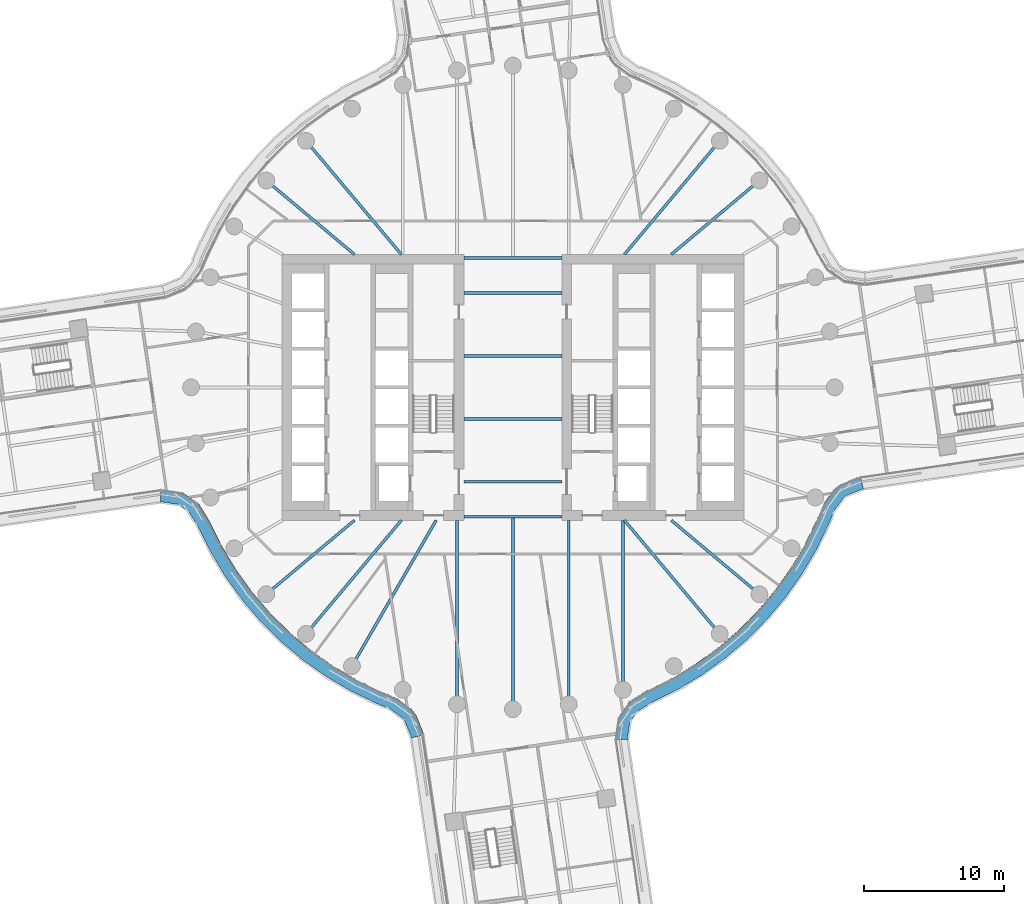
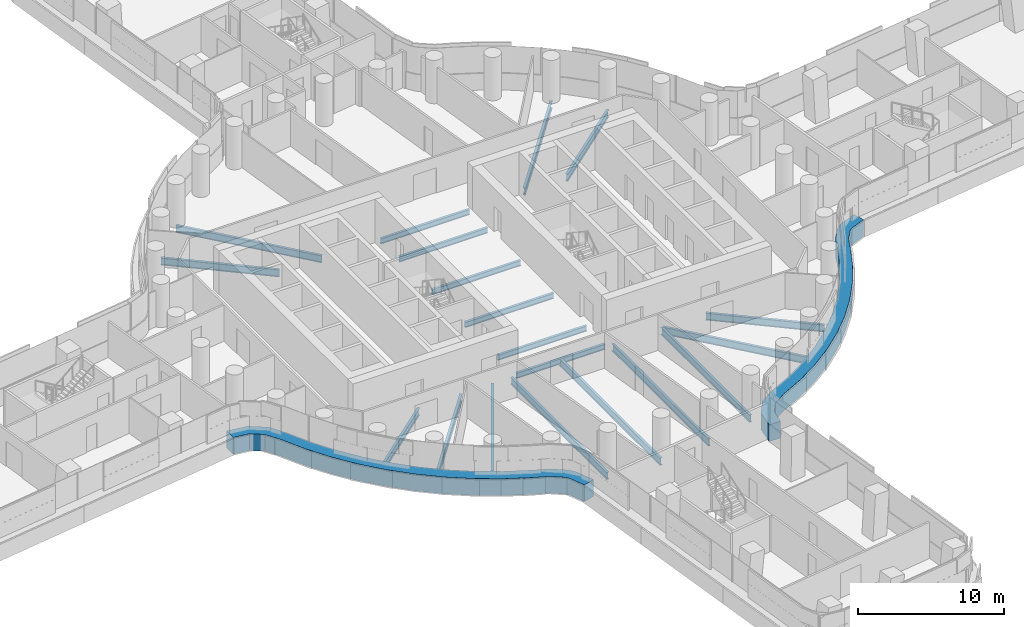
# One storey, part 8 of 31: 19 beams, 2 members, 2 elements without a shape of their own.
"""IFC4 building model written with IfcOpenShell, lengths in metres."""

from ifc_helpers import new_model, si_unit, direction, frame, origin, origin_2d, place, context, subcontext, project, spatial, polyline, i_section, outline, extrude, material, layer, layer_set, material_profile, profile_set, type_object, element, aggregate, save


model = new_model("IFC4")

# Units and contexts
model_context = context("Model", 3, precision=1e-05, world=origin(), true_north=direction((0.0, 1.0)))
body_context = subcontext(model_context, "Body", "Model", "MODEL_VIEW")
ifc_project = project(units=[si_unit("LENGTHUNIT", "METRE"), si_unit("AREAUNIT", "SQUARE_METRE"), si_unit("VOLUMEUNIT", "CUBIC_METRE"), si_unit("PLANEANGLEUNIT", "RADIAN"), si_unit("MASSUNIT", "GRAM", prefix="KILO")], contexts=[model_context])

# Site, building, storey
site_placement = place(None, origin())
site = spatial("IfcSite", under=ifc_project, at=site_placement, CompositionType="ELEMENT")
building_placement = place(site_placement, origin())
building = spatial("IfcBuilding", under=site, at=building_placement, Name="Tamarind Cross Interchange Tower", CompositionType="ELEMENT")
storey_placement = place(building_placement, frame((0.0, 0.0, 64.0)))
storey = spatial("IfcBuildingStorey", under=building, at=storey_placement, Name="L14", CompositionType="ELEMENT", Elevation=64.0)

# Beams
ifc_material_1 = material(Name="Steel Q355B", Category="steel")
ifc_material_profile_1 = material_profile(ifc_material_1, i_section(OverallWidth=0.198974609375, OverallDepth=0.446044921875, WebThickness=0.008056640625, FlangeThickness=0.011962890625, FilletRadius=0.012939453125, at=origin_2d()), Name="HN 446x199x8x12")
ifc_profile_set_1 = profile_set([ifc_material_profile_1], Name="Steel Q355B")
beam_type_1 = type_object("IfcBeamType", Name="Composite beam HN 446x199x8x12 Q355B", PredefinedType="BEAM", material=ifc_profile_set_1)
for number, where, z_axis, x_axis, name in (
    (1, (-3.5, -2.25, -0.363037109375), (1.0, 0.0, 0.0), (0.0, 1.0, 0.0), "Beam G-2.25"),
    (2, (-3.5, -6.75, -0.363037109375), (1.0, 0.0, 0.0), (0.0, 1.0, 0.0), "Beam G-6.75"),
    (3, (-3.5, -9.25, -0.363037109375), (1.0, 0.0, 0.0), (0.0, 1.0, 0.0), "Beam G-9.25"),
    (4, (-3.5, 2.25, -0.363037109375), (1.0, 0.0, 0.0), (0.0, 1.0, 0.0), "Beam G2.25"),
    (5, (-3.5, 6.75, -0.363037109375), (1.0, 0.0, 0.0), (0.0, 1.0, 0.0), "Beam G6.75"),
    (6, (-3.5, 9.25, -0.363037109375), (1.0, 0.0, 0.0), (0.0, 1.0, 0.0), "Beam G9.25"),
):
    element("IfcBeam", number, at=place(storey_placement, frame(where, z_axis=z_axis, x_axis=x_axis)), inside=storey, type_object=beam_type_1, Name=name, PredefinedType="BEAM", context=body_context, shape_type="SweptSolid", body=[
        extrude(i_section(OverallWidth=0.198974609375, OverallDepth=0.446044921875, WebThickness=0.008056640625, FlangeThickness=0.011962890625, FilletRadius=0.012939453125, at=origin_2d()), origin(), (0.0, 0.0, 1.0), 7.0),
    ])
ifc_material_profile_2 = material_profile(ifc_material_1, i_section(OverallWidth=0.198974609375, OverallDepth=0.595947265625, WebThickness=0.010009765625, FlangeThickness=0.014892578125, FilletRadius=0.012939453125, at=origin_2d()), Name="HN 596x199x10x15")
ifc_profile_set_2 = profile_set([ifc_material_profile_2], Name="Steel Q355B")
beam_type_2 = type_object("IfcBeamType", Name="Composite beam HN 596x199x10x15 Q355B", PredefinedType="BEAM", material=ifc_profile_set_2)
beam_1_placement = place(storey_placement, frame((17.619140625, 14.7841796875, -0.43798828125), z_axis=(-0.766040580814, -0.642792212574, 0.0), x_axis=(0.642792212574, -0.766040580814, 0.0)))
element("IfcBeam", 7, at=beam_1_placement, inside=storey, type_object=beam_type_2, Name="Beam HH04", PredefinedType="BEAM", context=body_context, shape_type="SweptSolid", body=[
    extrude(i_section(OverallWidth=0.198974609375, OverallDepth=0.595947265625, WebThickness=0.010009765625, FlangeThickness=0.014892578125, FilletRadius=0.012939453125, at=origin_2d()), origin(), (0.0, 0.0, 1.0), 8.220703125),
])
for number, where, z_axis, x_axis, name in (
    (8, (14.7841796875, 17.619140625, -0.43798828125), (-0.642786293979, -0.766045547127, 0.0), (0.766045547127, -0.642786293979, 0.0), "Beam HH05"),
    (9, (-14.7841796875, 17.619140625, -0.43798828125), (0.642786293979, -0.766045547127, 0.0), (0.766045547127, 0.642786293979, 0.0), "Beam HH13"),
):
    element("IfcBeam", number, at=place(storey_placement, frame(where, z_axis=z_axis, x_axis=x_axis)), inside=storey, type_object=beam_type_2, Name=name, PredefinedType="BEAM", context=body_context, shape_type="SweptSolid", body=[
        extrude(i_section(OverallWidth=0.198974609375, OverallDepth=0.595947265625, WebThickness=0.010009765625, FlangeThickness=0.014892578125, FilletRadius=0.012939453125, at=origin_2d()), origin(), (0.0, 0.0, 1.0), 10.598876953125),
    ])
for number, where, z_axis, x_axis, name in (
    (10, (-17.619140625, 14.7841796875, -0.43798828125), (0.766040580814, -0.642792212574, 0.0), (0.642792212574, 0.766040580814, 0.0), "Beam HH14"),
    (11, (-17.619140625, -14.7841796875, -0.43798828125), (0.766040580814, 0.642792212574, 0.0), (-0.642792212574, 0.766040580814, 0.0), "Beam HH22"),
):
    element("IfcBeam", number, at=place(storey_placement, frame(where, z_axis=z_axis, x_axis=x_axis)), inside=storey, type_object=beam_type_2, Name=name, PredefinedType="BEAM", context=body_context, shape_type="SweptSolid", body=[
        extrude(i_section(OverallWidth=0.198974609375, OverallDepth=0.595947265625, WebThickness=0.010009765625, FlangeThickness=0.014892578125, FilletRadius=0.012939453125, at=origin_2d()), origin(), (0.0, 0.0, 1.0), 8.220703125),
    ])
beam_2_placement = place(storey_placement, frame((-14.7841796875, -17.619140625, -0.43798828125), z_axis=(0.642786293979, 0.766045547127, 0.0), x_axis=(-0.766045547127, 0.642786293979, 0.0)))
element("IfcBeam", 12, at=beam_2_placement, inside=storey, type_object=beam_type_2, Name="Beam HH23", PredefinedType="BEAM", context=body_context, shape_type="SweptSolid", body=[
    extrude(i_section(OverallWidth=0.198974609375, OverallDepth=0.595947265625, WebThickness=0.010009765625, FlangeThickness=0.014892578125, FilletRadius=0.012939453125, at=origin_2d()), origin(), (0.0, 0.0, 1.0), 10.598876953125),
])
beam_3_placement = place(storey_placement, frame((-11.5, -19.918701171875, -0.43798828125), z_axis=(0.499993565836, 0.866029118519, 0.0), x_axis=(-0.866029118519, 0.499993565836, 0.0)))
element("IfcBeam", 13, at=beam_3_placement, inside=storey, type_object=beam_type_2, Name="Beam HH24", PredefinedType="BEAM", context=body_context, shape_type="SweptSolid", body=[
    extrude(i_section(OverallWidth=0.198974609375, OverallDepth=0.595947265625, WebThickness=0.010009765625, FlangeThickness=0.014892578125, FilletRadius=0.012939453125, at=origin_2d()), origin(), (0.0, 0.0, 1.0), 12.030517578125),
])
beam_4_placement = place(storey_placement, frame((-3.993896484375, -22.650634765625, -0.43798828125), z_axis=(0.0, 1.0, 0.0), x_axis=(-1.0, 0.0, 0.0)))
element("IfcBeam", 14, at=beam_4_placement, inside=storey, type_object=beam_type_2, Name="Beam HH26", PredefinedType="BEAM", context=body_context, shape_type="SweptSolid", body=[
    extrude(i_section(OverallWidth=0.198974609375, OverallDepth=0.595947265625, WebThickness=0.010009765625, FlangeThickness=0.014892578125, FilletRadius=0.012939453125, at=origin_2d()), origin(), (0.0, 0.0, 1.0), 13.150634765625),
])
beam_5_placement = place(storey_placement, frame((0.0, -23.0, -0.43798828125), z_axis=(0.0, 1.0, 0.0), x_axis=(-1.0, 0.0, 0.0)))
element("IfcBeam", 15, at=beam_5_placement, inside=storey, type_object=beam_type_2, Name="Beam HH27", PredefinedType="BEAM", context=body_context, shape_type="SweptSolid", body=[
    extrude(i_section(OverallWidth=0.198974609375, OverallDepth=0.595947265625, WebThickness=0.010009765625, FlangeThickness=0.014892578125, FilletRadius=0.012939453125, at=origin_2d()), origin(), (0.0, 0.0, 1.0), 13.75),
])
beam_6_placement = place(storey_placement, frame((3.993896484375, -22.650634765625, -0.43798828125), z_axis=(0.0, 1.0, 0.0), x_axis=(-1.0, 0.0, 0.0)))
element("IfcBeam", 16, at=beam_6_placement, inside=storey, type_object=beam_type_2, Name="Beam HH28", PredefinedType="BEAM", context=body_context, shape_type="SweptSolid", body=[
    extrude(i_section(OverallWidth=0.198974609375, OverallDepth=0.595947265625, WebThickness=0.010009765625, FlangeThickness=0.014892578125, FilletRadius=0.012939453125, at=origin_2d()), origin(), (0.0, 0.0, 1.0), 13.150634765625),
])
beam_7_placement = place(storey_placement, frame((7.866455078125, -21.613037109375, -0.43798828125), z_axis=(0.0, 1.0, 0.0), x_axis=(-1.0, 0.0, 0.0)))
element("IfcBeam", 17, at=beam_7_placement, inside=storey, type_object=beam_type_2, Name="Beam HH29", PredefinedType="BEAM", context=body_context, shape_type="SweptSolid", body=[
    extrude(i_section(OverallWidth=0.198974609375, OverallDepth=0.595947265625, WebThickness=0.010009765625, FlangeThickness=0.014892578125, FilletRadius=0.012939453125, at=origin_2d()), origin(), (0.0, 0.0, 1.0), 12.113037109375),
])
beam_8_placement = place(storey_placement, frame((14.7841796875, -17.619140625, -0.43798828125), z_axis=(-0.642786293979, 0.766045547127, 0.0), x_axis=(-0.766045547127, -0.642786293979, 0.0)))
element("IfcBeam", 18, at=beam_8_placement, inside=storey, type_object=beam_type_2, Name="Beam HH31", PredefinedType="BEAM", context=body_context, shape_type="SweptSolid", body=[
    extrude(i_section(OverallWidth=0.198974609375, OverallDepth=0.595947265625, WebThickness=0.010009765625, FlangeThickness=0.014892578125, FilletRadius=0.012939453125, at=origin_2d()), origin(), (0.0, 0.0, 1.0), 10.598876953125),
])
beam_9_placement = place(storey_placement, frame((17.619140625, -14.7841796875, -0.43798828125), z_axis=(-0.766040580814, 0.642792212574, 0.0), x_axis=(-0.642792212574, -0.766040580814, 0.0)))
element("IfcBeam", 19, at=beam_9_placement, inside=storey, type_object=beam_type_2, Name="Beam HH32", PredefinedType="BEAM", context=body_context, shape_type="SweptSolid", body=[
    extrude(i_section(OverallWidth=0.198974609375, OverallDepth=0.595947265625, WebThickness=0.010009765625, FlangeThickness=0.014892578125, FilletRadius=0.012939453125, at=origin_2d()), origin(), (0.0, 0.0, 1.0), 8.220703125),
])

# Curtain wall, member
ifc_material_2 = material(Name="Aluminium 6063-T6", Category="aluminium")
ifc_layer = layer(ifc_material_2, 0.159912109375)
ifc_layer_set = layer_set([ifc_layer], Name="Aluminium 6063-T6")
curtain_wall_type = type_object("IfcCurtainWallType", Name="Office curtain wall, 9.0 m bays", PredefinedType="NOTDEFINED", material=ifc_layer_set)
curtain_wall_1_placement = place(storey_placement, origin())
curtain_wall_1 = element("IfcCurtainWall", 20, at=curtain_wall_1_placement, inside=storey, type_object=curtain_wall_type, Name="CWS-L14-02", PredefinedType="NOTDEFINED")
ifc_material_3 = material(Name="Aluminium and insulated spandrel panel", Category="aluminium")
member_type = type_object("IfcMemberType", Name="Floor-edge blade transom", PredefinedType="USERDEFINED", material=ifc_material_3)
member_1_placement = place(storey_placement, origin())
member_1 = element("IfcMember", 21, at=member_1_placement, type_object=member_type, Name="CWT-L14-02", ObjectType="TRANSOM", PredefinedType="USERDEFINED", context=body_context, shape_type="SweptSolid", body=[
    extrude(outline(polyline([(-25.17724609375, -7.263916015625), (-23.653076171875, -7.489013671875), (-22.45849609375, -8.307373046875), (-21.67041015625, -9.588134765625), (-20.791015625, -11.367431640625), (-19.78125, -13.045654296875), (-18.636474609375, -14.634521484375), (-17.3642578125, -16.12353515625), (-15.973388671875, -17.50244140625), (-14.4736328125, -18.76171875), (-12.874755859375, -19.892822265625), (-11.188232421875, -20.88818359375), (-9.42041015625, -21.742919921875), (-8.291015625, -22.22119140625), (-7.293212890625, -22.956787109375), (-6.923095703125, -23.421875), (-6.3583984375, -24.815185546875), (-7.23291015625, -25.052978515625), (-7.708251953125, -23.880615234375), (-7.923095703125, -23.610595703125), (-8.73974609375, -23.008544921875), (-9.792236328125, -22.562744140625), (-11.613525390625, -21.68212890625), (-13.3642578125, -20.64892578125), (-15.023681640625, -19.474853515625), (-16.580810546875, -18.167724609375), (-18.0244140625, -16.736572265625), (-19.344970703125, -15.19091796875), (-20.533203125, -13.54150390625), (-21.581298828125, -11.799560546875), (-22.458740234375, -10.0244140625), (-23.125, -8.94189453125), (-23.990234375, -8.34912109375), (-25.177978515625, -8.173583984375), (-25.17724609375, -7.263916015625)])), origin(), (0.0, 0.0, 1.0), 1.39990234375),
])
aggregate(curtain_wall_1, [member_1])

curtain_wall_2_placement = place(storey_placement, origin())
curtain_wall_2 = element("IfcCurtainWall", 22, at=curtain_wall_2_placement, inside=storey, type_object=curtain_wall_type, Name="CWS-L14-06", PredefinedType="NOTDEFINED")
member_2_placement = place(storey_placement, origin())
member_2 = element("IfcMember", 23, at=member_2_placement, type_object=member_type, Name="CWT-L14-06", ObjectType="TRANSOM", PredefinedType="USERDEFINED", context=body_context, shape_type="SweptSolid", body=[
    extrude(outline(polyline([(7.263916015625, -25.17724609375), (7.489013671875, -23.653076171875), (8.307373046875, -22.45849609375), (9.588134765625, -21.67041015625), (11.367431640625, -20.791015625), (13.045654296875, -19.78125), (14.634521484375, -18.636474609375), (16.12353515625, -17.3642578125), (17.50244140625, -15.973388671875), (18.76171875, -14.4736328125), (19.892822265625, -12.874755859375), (20.88818359375, -11.188232421875), (21.742919921875, -9.42041015625), (22.22119140625, -8.291015625), (22.956787109375, -7.293212890625), (23.421875, -6.923095703125), (24.815185546875, -6.3583984375), (25.052978515625, -7.23291015625), (23.880615234375, -7.708251953125), (23.610595703125, -7.923095703125), (23.008544921875, -8.73974609375), (22.562744140625, -9.792236328125), (21.68212890625, -11.613525390625), (20.64892578125, -13.3642578125), (19.474853515625, -15.023681640625), (18.167724609375, -16.580810546875), (16.736572265625, -18.0244140625), (15.19091796875, -19.344970703125), (13.54150390625, -20.533203125), (11.799560546875, -21.581298828125), (10.0244140625, -22.458740234375), (8.94189453125, -23.125), (8.34912109375, -23.990234375), (8.173583984375, -25.177978515625), (7.263916015625, -25.17724609375)])), origin(), (0.0, 0.0, 1.0), 1.39990234375),
])
aggregate(curtain_wall_2, [member_2])

save(model, "model.ifc")
